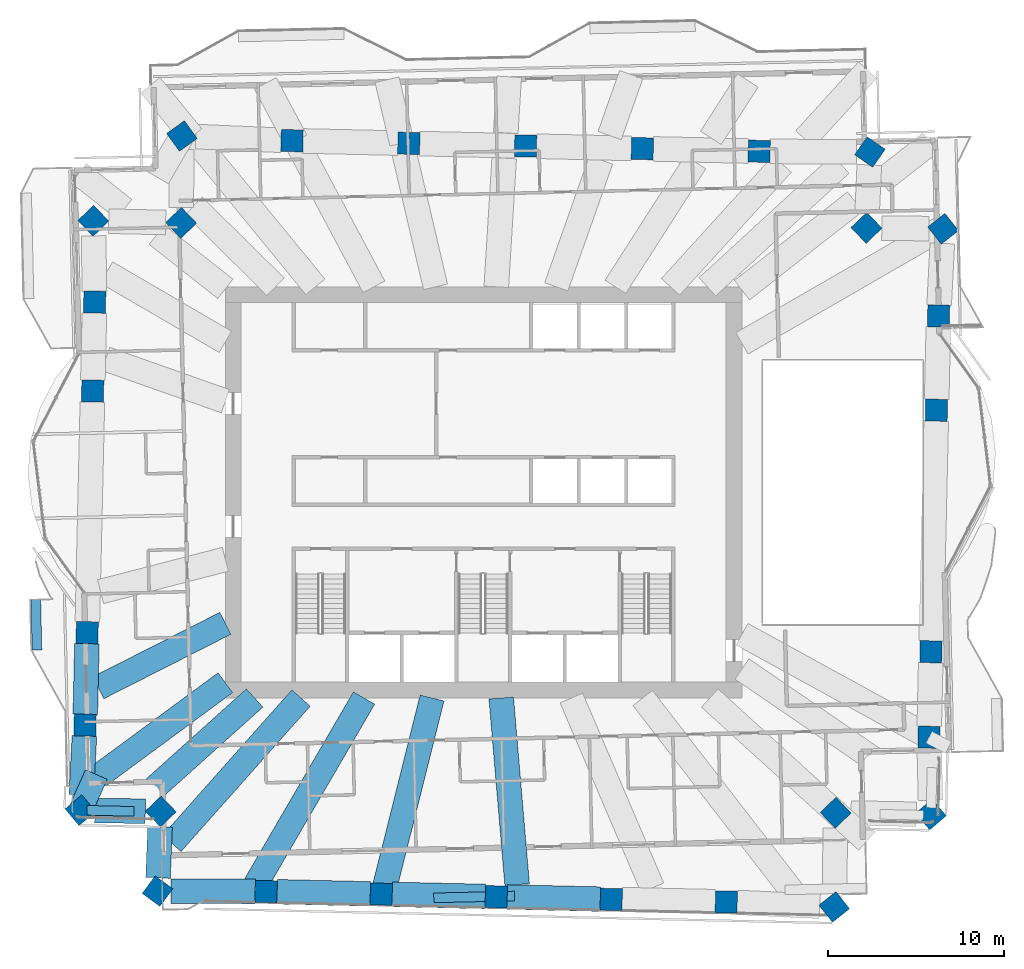
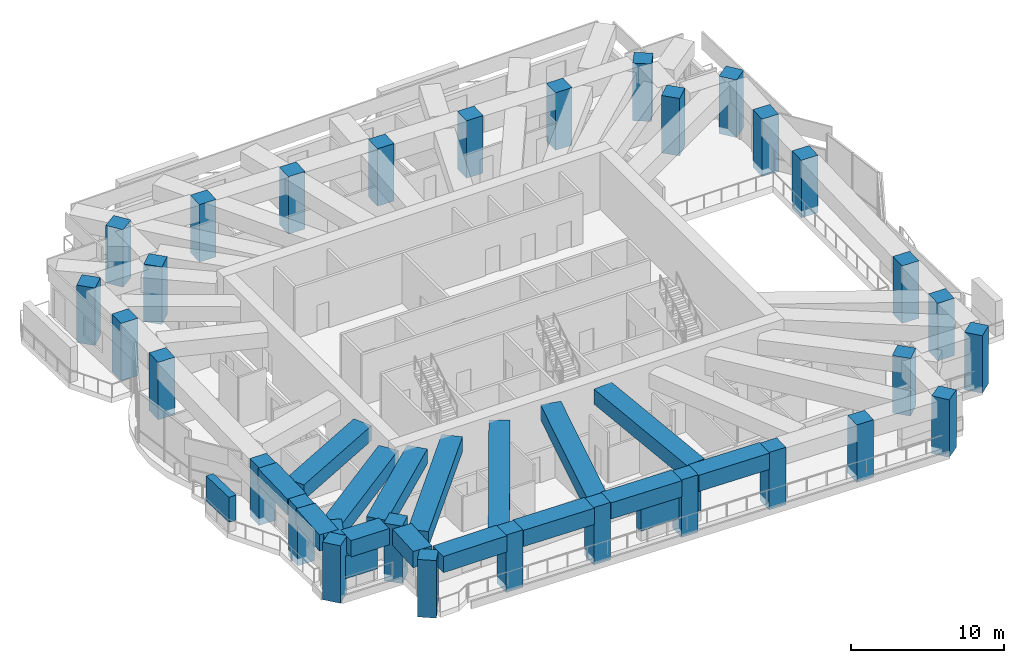
# One storey, part 1 of 17: 30 columns, 16 beams, 3 members.
"""IFC4 building model written with IfcOpenShell, lengths in metres."""

from ifc_helpers import new_model, si_unit, direction, frame, origin, origin_2d, place, context, subcontext, project, spatial, rectangle, extrude, material, material_profile, profile_set, type_object, element, save


model = new_model("IFC4")

# Units and contexts
model_context = context("Model", 3, precision=1e-05, world=origin(), true_north=direction((0.0, 1.0)))
body_context = subcontext(model_context, "Body", "Model", "MODEL_VIEW")
ifc_project = project(units=[si_unit("LENGTHUNIT", "METRE"), si_unit("AREAUNIT", "SQUARE_METRE"), si_unit("VOLUMEUNIT", "CUBIC_METRE"), si_unit("PLANEANGLEUNIT", "RADIAN"), si_unit("MASSUNIT", "GRAM", prefix="KILO")], contexts=[model_context])

# Site, building, storey
site_placement = place(None, origin())
site = spatial("IfcSite", under=ifc_project, at=site_placement, CompositionType="ELEMENT")
building_placement = place(site_placement, origin())
building = spatial("IfcBuilding", under=site, at=building_placement, Name="Mangrove Gate Tower", CompositionType="ELEMENT")
storey_placement = place(building_placement, frame((0.0, 0.0, 170.699951171875)))
storey = spatial("IfcBuildingStorey", under=building, at=storey_placement, Name="L43", CompositionType="ELEMENT", Elevation=170.699951171875)

# Columns
ifc_material_1 = material(Name="Concrete C60/75", Category="concrete")
ifc_material_profile_1 = material_profile(ifc_material_1, rectangle(XDim=1.25, YDim=1.25, at=origin_2d()))
ifc_profile_set_1 = profile_set([ifc_material_profile_1], Name="Concrete C60/75")
column_type = type_object("IfcColumnType", Name="Column RC 1250x1250 C60/75", PredefinedType="COLUMN", material=ifc_profile_set_1)
for number, where, z_axis, x_axis, name in (
    (1, (-22.565185546875, -7.979248046875, -0.550048828125), (0.0, 0.0, 1.0), (-0.022667651322, -0.999743055782, 0.0), "Column L43 W05"),
    (2, (-22.68408203125, -13.240234375, -0.550048828125), (0.0, 0.0, 1.0), (-0.022613490188, -0.999744282335, 0.0), "Column L43 W06"),
    (3, (-22.9482421875, -18.08642578125, -0.550048828125), (0.0, 0.0, 1.0), (0.640873753585, -0.767646293527, 0.0), "Column L43 W07"),
    (4, (-18.378173828125, -18.1591796875, -0.550048828125), (0.0, 0.0, 1.0), (0.690859559249, -0.722988982899, 0.0), "Column L43 W08"),
    (5, (-18.563232421875, -22.686767578125, -0.550048828125), (0.0, 0.0, 1.0), (0.804996144733, -0.593280040929, 0.0), "Column L43 S01"),
    (6, (-12.374755859375, -22.713134765625, -0.550048828125), (0.0, 0.0, 1.0), (0.999742702367, -0.022683233105, 0.0), "Column L43 S02"),
    (7, (-5.829833984375, -22.862060546875, -0.550048828125), (0.0, 0.0, 1.0), (0.999742702367, -0.022683233105, 0.0), "Column L43 S03"),
    (8, (0.715087890625, -23.01025390625, -0.550048828125), (0.0, 0.0, 1.0), (0.999742702367, -0.022683233105, 0.0), "Column L43 S04"),
    (9, (7.26025390625, -23.1591796875, -0.550048828125), (0.0, 0.0, 1.0), (0.999742702367, -0.022683233105, 0.0), "Column L43 S05"),
    (10, (13.80517578125, -23.30712890625, -0.550048828125), (0.0, 0.0, 1.0), (0.999742702367, -0.022683233105, 0.0), "Column L43 S06"),
    (11, (19.94921875, -23.590087890625, -0.550048828125), (0.0, 0.0, 1.0), (0.785651346068, 0.618669509853, 0.0), "Column L43 S07"),
    (12, (20.026123046875, -18.230224609375, -0.550048828125), (0.0, 0.0, 1.0), (0.722965976266, 0.690883635037, 0.0), "Column L43 E01"),
    (13, (25.449462890625, -18.3310546875, -0.550048828125), (0.0, 0.0, 1.0), (0.758167511602, 0.65205983188, 0.0), "Column L43 E02"),
    (14, (25.342041015625, -13.9296875, -0.550048828125), (0.0, 0.0, 1.0), (0.022726069892, 0.999741729522, 0.0), "Column L43 E03"),
    (15, (25.453125, -9.06884765625, -0.550048828125), (0.0, 0.0, 1.0), (0.022725057863, 0.999741752527, 0.0), "Column L43 E04"),
    (16, (25.76513671875, 4.67919921875, -0.550048828125), (0.0, 0.0, 1.0), (0.022654843895, 0.999743346088, 0.0), "Column L43 E05"),
    (17, (25.88623046875, 10.0390625, -0.550048828125), (0.0, 0.0, 1.0), (0.022659973846, 0.999743229827, 0.0), "Column L43 E06"),
    (18, (26.140869140625, 15.000732421875, -0.550048828125), (0.0, 0.0, 1.0), (-0.616591984417, 0.787282874672, 0.0), "Column L43 E07"),
    (19, (21.7822265625, 15.05419921875, -0.550048828125), (0.0, 0.0, 1.0), (-0.690854032309, 0.722994264183, 0.0), "Column L43 E08"),
    (20, (21.977294921875, 19.371826171875, -0.550048828125), (0.0, 0.0, 1.0), (-0.821084149613, 0.570807164684, 0.0), "Column L43 N01"),
    (21, (15.6748046875, 19.4111328125, -0.550048828125), (0.0, 0.0, 1.0), (-0.999741913136, 0.022717991104, 0.0), "Column L43 N02"),
    (22, (9.02978515625, 19.562255859375, -0.550048828125), (0.0, 0.0, 1.0), (-0.999741913136, 0.022717991104, 0.0), "Column L43 N03"),
    (23, (2.384765625, 19.713134765625, -0.550048828125), (0.0, 0.0, 1.0), (-0.999743618843, 0.022642804212, 0.0), "Column L43 N04"),
    (24, (-4.26025390625, 19.86328125, -0.550048828125), (0.0, 0.0, 1.0), (-0.999743618843, 0.022642804212, 0.0), "Column L43 N05"),
    (25, (-10.9052734375, 20.01416015625, -0.550048828125), (0.0, 0.0, 1.0), (-0.999741913136, 0.022717991104, 0.0), "Column L43 N06"),
    (26, (-17.171630859375, 20.2822265625, -0.550048828125), (0.0, 0.0, 1.0), (-0.812545678333, -0.582897521545, 0.0), "Column L43 N07"),
    (27, (-17.21728515625, 15.339111328125, -0.550048828125), (0.0, 0.0, 1.0), (-0.722976563275, -0.690872556232, 0.0), "Column L43 W01"),
    (28, (-22.21337890625, 15.455810546875, -0.550048828125), (0.0, 0.0, 1.0), (-0.718744863036, -0.695273918581, 0.0), "Column L43 W02"),
    (29, (-22.13818359375, 10.829833984375, -0.550048828125), (0.0, 0.0, 1.0), (-0.022716926728, -0.999741937322, 0.0), "Column L43 W03"),
    (30, (-22.253173828125, 5.768798828125, -0.550048828125), (0.0, 0.0, 1.0), (-0.022696057972, -0.9997424113, 0.0), "Column L43 W04"),
):
    element("IfcColumn", number, at=place(storey_placement, frame(where, z_axis=z_axis, x_axis=x_axis)), inside=storey, type_object=column_type, Name=name, PredefinedType="COLUMN", context=body_context, shape_type="SweptSolid", body=[
        extrude(rectangle(XDim=1.25, YDim=1.25, at=origin_2d()), origin(), (0.0, 0.0, 1.0), 4.60009765625),
    ])

# Members
ifc_material_2 = material(Name="Planting on aluminium trellis", Category="aluminium")
ifc_material_profile_2 = material_profile(ifc_material_2, rectangle(XDim=0.550048828125, YDim=2.0, at=origin_2d()))
ifc_profile_set_2 = profile_set([ifc_material_profile_2], Name="Planting on aluminium trellis")
member_type_1 = type_object("IfcMemberType", Name="Balcony greenery screen 550x2000", PredefinedType="USERDEFINED", material=ifc_profile_set_2)
member_1_placement = place(storey_placement, frame((-25.4208984375, -8.966064453125, 1.800048828125), z_axis=(-0.022675106248, 0.999742886725, 0.0), x_axis=(-0.999742886725, -0.022675106248, 0.0)))
element("IfcMember", 31, at=member_1_placement, inside=storey, type_object=member_type_1, Name="GREEN SCREEN L43 W1.1", ObjectType="PLANTING", PredefinedType="USERDEFINED", context=body_context, shape_type="SweptSolid", body=[
    extrude(rectangle(XDim=0.550048828125, YDim=2.0, at=origin_2d()), origin(), (0.0, 0.0, 1.0), 2.874755859375),
])
member_2_placement = place(storey_placement, frame((-2.840087890625, -23.072021484375, 1.800048828125), z_axis=(0.999744404568, 0.02260808559, 0.0), x_axis=(-0.02260808559, 0.999744404568, 0.0)))
element("IfcMember", 32, at=member_2_placement, inside=storey, type_object=member_type_1, Name="GREEN SCREEN L43 S0.1", ObjectType="PLANTING", PredefinedType="USERDEFINED", context=body_context, shape_type="SweptSolid", body=[
    extrude(rectangle(XDim=0.550048828125, YDim=2.0, at=origin_2d()), origin(), (0.0, 0.0, 1.0), 4.600341796875),
])
ifc_material_3 = material(Name="Planting on aluminium trellis", Category="aluminium")
ifc_material_profile_3 = material_profile(ifc_material_3, rectangle(XDim=0.550048828125, YDim=1.800048828125, at=origin_2d()))
ifc_profile_set_3 = profile_set([ifc_material_profile_3], Name="Planting on aluminium trellis")
member_type_2 = type_object("IfcMemberType", Name="Roof greenery screen 550x1800", PredefinedType="USERDEFINED", material=ifc_profile_set_3)
member_3_placement = place(storey_placement, frame((-19.89892578125, -18.15087890625, 1.699951171875), z_axis=(-0.99974919145, 0.022395405678, 0.0), x_axis=(-0.022395405678, -0.99974919145, 0.0)))
element("IfcMember", 33, at=member_3_placement, inside=storey, type_object=member_type_2, Name="GREEN SCREEN L43 T4.1.4", ObjectType="PLANTING", PredefinedType="USERDEFINED", context=body_context, shape_type="SweptSolid", body=[
    extrude(rectangle(XDim=0.550048828125, YDim=1.800048828125, at=origin_2d()), origin(), (0.0, 0.0, 1.0), 2.6708984375),
])

# Beams
ifc_material_4 = material(Name="Concrete C60/75", Category="concrete")
ifc_material_profile_4 = material_profile(ifc_material_4, rectangle(XDim=1.35009765625, YDim=1.199951171875, at=origin_2d()))
ifc_profile_set_4 = profile_set([ifc_material_profile_4], Name="Concrete C60/75")
beam_type_1 = type_object("IfcBeamType", Name="Transfer girder RC 1350x1200 C60/75", PredefinedType="BEAM", material=ifc_profile_set_4)
beam_1_placement = place(storey_placement, frame((-22.9482421875, -18.08642578125, 3.449951171875), z_axis=(0.40774554746, 0.913095596598, 0.0), x_axis=(-0.913095596598, 0.40774554746, 0.0)))
element("IfcBeam", 34, at=beam_1_placement, inside=storey, type_object=beam_type_1, Name="Transfer edge girder L43 02", PredefinedType="BEAM", context=body_context, shape_type="SweptSolid", body=[
    extrude(rectangle(XDim=1.35009765625, YDim=1.199951171875, at=origin_2d()), origin(), (0.0, 0.0, 1.0), 2.22607421875),
])
ifc_material_5 = material(Name="Concrete C60/75", Category="concrete")
ifc_material_profile_5 = material_profile(ifc_material_5, rectangle(XDim=1.39990234375, YDim=1.199951171875, at=origin_2d()))
ifc_profile_set_5 = profile_set([ifc_material_profile_5], Name="Concrete C60/75")
beam_type_2 = type_object("IfcBeamType", Name="Transfer girder RC 1400x1200 C60/75", PredefinedType="BEAM", material=ifc_profile_set_5)
beam_2_placement = place(storey_placement, frame((-14.699951171875, -7.451171875, 3.449951171875), z_axis=(-0.891962264312, -0.45210985285, 0.0), x_axis=(0.45210985285, -0.891962264312, 0.0)))
element("IfcBeam", 35, at=beam_2_placement, inside=storey, type_object=beam_type_2, Name="Transfer girder L43 01", PredefinedType="BEAM", context=body_context, shape_type="SweptSolid", body=[
    extrude(rectangle(XDim=1.39990234375, YDim=1.199951171875, at=origin_2d()), origin(), (0.0, 0.0, 1.0), 8.1064453125),
])
beam_3_placement = place(storey_placement, frame((-14.699951171875, -10.82958984375, 3.449951171875), z_axis=(-0.805102977072, -0.593135057394, 0.0), x_axis=(0.593135057394, -0.805102977072, 0.0)))
element("IfcBeam", 36, at=beam_3_placement, inside=storey, type_object=beam_type_2, Name="Transfer girder L43 02", PredefinedType="BEAM", context=body_context, shape_type="SweptSolid", body=[
    extrude(rectangle(XDim=1.39990234375, YDim=1.199951171875, at=origin_2d()), origin(), (0.0, 0.0, 1.0), 9.241943359375),
])
beam_4_placement = place(storey_placement, frame((-13.03173828125, -11.699951171875, 3.449951171875), z_axis=(-0.744103812122, -0.668064006504, 0.0), x_axis=(0.668064006504, -0.744103812122, 0.0)))
element("IfcBeam", 37, at=beam_4_placement, inside=storey, type_object=beam_type_2, Name="Transfer girder L43 03", PredefinedType="BEAM", context=body_context, shape_type="SweptSolid", body=[
    extrude(rectangle(XDim=1.39990234375, YDim=1.199951171875, at=origin_2d()), origin(), (0.0, 0.0, 1.0), 8.58544921875),
])
beam_5_placement = place(storey_placement, frame((-10.394287109375, -11.699951171875, 3.449951171875), z_axis=(-0.664159743083, -0.747590687254, 0.0), x_axis=(0.747590687254, -0.664159743083, 0.0)))
element("IfcBeam", 38, at=beam_5_placement, inside=storey, type_object=beam_type_2, Name="Transfer girder L43 04", PredefinedType="BEAM", context=body_context, shape_type="SweptSolid", body=[
    extrude(rectangle(XDim=1.39990234375, YDim=1.199951171875, at=origin_2d()), origin(), (0.0, 0.0, 1.0), 11.064208984375),
])
beam_6_placement = place(storey_placement, frame((-2.9345703125, -11.699951171875, 3.449951171875), z_axis=(-0.243289163094, -0.969953804632, 0.0), x_axis=(0.969953804632, -0.243289163094, 0.0)))
element("IfcBeam", 39, at=beam_6_placement, inside=storey, type_object=beam_type_2, Name="Transfer girder L43 06", PredefinedType="BEAM", context=body_context, shape_type="SweptSolid", body=[
    extrude(rectangle(XDim=1.39990234375, YDim=1.199951171875, at=origin_2d()), origin(), (0.0, 0.0, 1.0), 11.51025390625),
])
beam_7_placement = place(storey_placement, frame((0.998291015625, -11.699951171875, 3.449951171875), z_axis=(0.085014629535, -0.996379703108, 0.0), x_axis=(0.996379703108, 0.085014629535, 0.0)))
element("IfcBeam", 40, at=beam_7_placement, inside=storey, type_object=beam_type_2, Name="Transfer girder L43 07", PredefinedType="BEAM", context=body_context, shape_type="SweptSolid", body=[
    extrude(rectangle(XDim=1.39990234375, YDim=1.199951171875, at=origin_2d()), origin(), (0.0, 0.0, 1.0), 10.659912109375),
])
ifc_material_6 = material(Name="Concrete C60/75", Category="concrete")
ifc_material_profile_6 = material_profile(ifc_material_6, rectangle(XDim=1.39990234375, YDim=1.300048828125, at=origin_2d()))
ifc_profile_set_6 = profile_set([ifc_material_profile_6], Name="Concrete C60/75")
beam_type_3 = type_object("IfcBeamType", Name="Transfer girder RC 1400x1300 C60/75", PredefinedType="BEAM", material=ifc_profile_set_6)
beam_8_placement = place(storey_placement, frame((-22.579345703125, -8.60400390625, 3.400146484375), z_axis=(-0.02257489059, -0.999745154684, 0.0), x_axis=(0.999745154684, -0.02257489059, 0.0)))
element("IfcBeam", 41, at=beam_8_placement, inside=storey, type_object=beam_type_3, Name="Transfer ring girder L43 00", PredefinedType="BEAM", context=body_context, shape_type="SweptSolid", body=[
    extrude(rectangle(XDim=1.39990234375, YDim=1.300048828125, at=origin_2d()), origin(), (0.0, 0.0, 1.0), 4.01220703125),
])
beam_9_placement = place(storey_placement, frame((-22.71826171875, -13.864501953125, 3.400146484375), z_axis=(-0.054415957845, -0.998518354129, 0.0), x_axis=(0.998518354129, -0.054415957845, 0.0)))
element("IfcBeam", 42, at=beam_9_placement, inside=storey, type_object=beam_type_3, Name="Transfer ring girder L43 01", PredefinedType="BEAM", context=body_context, shape_type="SweptSolid", body=[
    extrude(rectangle(XDim=1.39990234375, YDim=1.300048828125, at=origin_2d()), origin(), (0.0, 0.0, 1.0), 3.373779296875),
])
beam_10_placement = place(storey_placement, frame((-22.123046875, -18.099609375, 3.400146484375), z_axis=(0.999873252746, -0.015921006324, 0.0), x_axis=(0.015921006324, 0.999873252746, 0.0)))
element("IfcBeam", 43, at=beam_10_placement, inside=storey, type_object=beam_type_3, Name="Transfer ring girder L43 02", PredefinedType="BEAM", context=body_context, shape_type="SweptSolid", body=[
    extrude(rectangle(XDim=1.39990234375, YDim=1.300048828125, at=origin_2d()), origin(), (0.0, 0.0, 1.0), 2.867431640625),
])
beam_11_placement = place(storey_placement, frame((-18.41357421875, -19.02685546875, 3.400146484375), z_axis=(-0.040876425579, -0.999164209643, 0.0), x_axis=(0.999164209643, -0.040876425579, 0.0)))
element("IfcBeam", 44, at=beam_11_placement, inside=storey, type_object=beam_type_3, Name="Transfer ring girder L43 03", PredefinedType="BEAM", context=body_context, shape_type="SweptSolid", body=[
    extrude(rectangle(XDim=1.39990234375, YDim=1.300048828125, at=origin_2d()), origin(), (0.0, 0.0, 1.0), 2.90869140625),
])
beam_12_placement = place(storey_placement, frame((-17.789306640625, -22.690185546875, 3.400146484375), z_axis=(0.999991049338, -0.004230986241, 0.0), x_axis=(0.004230986241, 0.999991049338, 0.0)))
element("IfcBeam", 45, at=beam_12_placement, inside=storey, type_object=beam_type_3, Name="Transfer ring girder L43 04", PredefinedType="BEAM", context=body_context, shape_type="SweptSolid", body=[
    extrude(rectangle(XDim=1.39990234375, YDim=1.300048828125, at=origin_2d()), origin(), (0.0, 0.0, 1.0), 4.789306640625),
])
for number, where, z_axis, x_axis, name in (
    (46, (-11.75, -22.727294921875, 3.400146484375), (0.999740739783, -0.022769567794, 0.0), (0.022769567794, 0.999740739783, 0.0), "Transfer ring girder L43 05"),
    (47, (-5.205078125, -22.876220703125, 3.400146484375), (0.999743877925, -0.022631362105, 0.0), (0.022631362105, 0.999743877925, 0.0), "Transfer ring girder L43 06"),
):
    element("IfcBeam", number, at=place(storey_placement, frame(where, z_axis=z_axis, x_axis=x_axis)), inside=storey, type_object=beam_type_3, Name=name, PredefinedType="BEAM", context=body_context, shape_type="SweptSolid", body=[
        extrude(rectangle(XDim=1.39990234375, YDim=1.300048828125, at=origin_2d()), origin(), (0.0, 0.0, 1.0), 5.296875),
    ])
beam_13_placement = place(storey_placement, frame((1.340087890625, -23.0244140625, 3.400146484375), z_axis=(0.999740715885, -0.022770617071, 0.0), x_axis=(0.022770617071, 0.999740715885, 0.0)))
element("IfcBeam", 48, at=beam_13_placement, inside=storey, type_object=beam_type_3, Name="Transfer ring girder L43 07", PredefinedType="BEAM", context=body_context, shape_type="SweptSolid", body=[
    extrude(rectangle(XDim=1.39990234375, YDim=1.300048828125, at=origin_2d()), origin(), (0.0, 0.0, 1.0), 5.296630859375),
])
beam_14_placement = place(storey_placement, frame((-6.807861328125, -11.699951171875, 3.400146484375), z_axis=(-0.502920275074, -0.864332804491, 0.0), x_axis=(0.864332804491, -0.502920275074, 0.0)))
element("IfcBeam", 49, at=beam_14_placement, inside=storey, type_object=beam_type_3, Name="Transfer girder L43 05", PredefinedType="BEAM", context=body_context, shape_type="SweptSolid", body=[
    extrude(rectangle(XDim=1.39990234375, YDim=1.300048828125, at=origin_2d()), origin(), (0.0, 0.0, 1.0), 12.2978515625),
])

save(model, "model.ifc")
